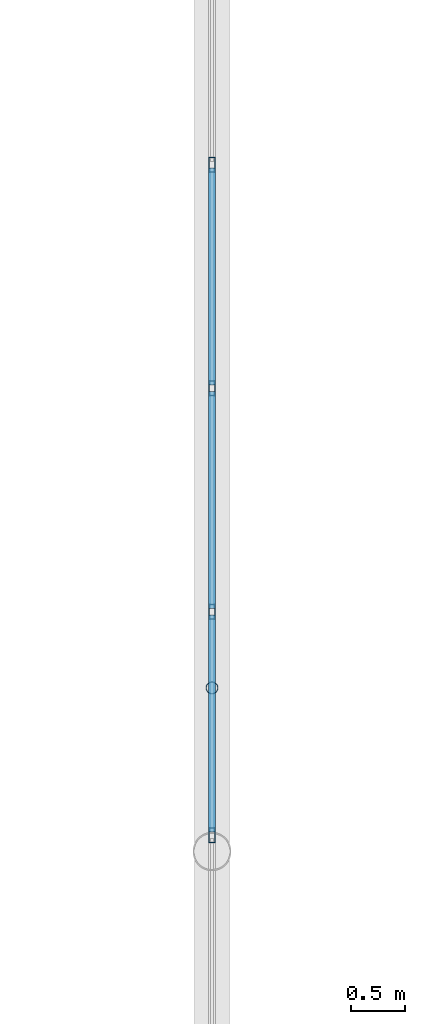
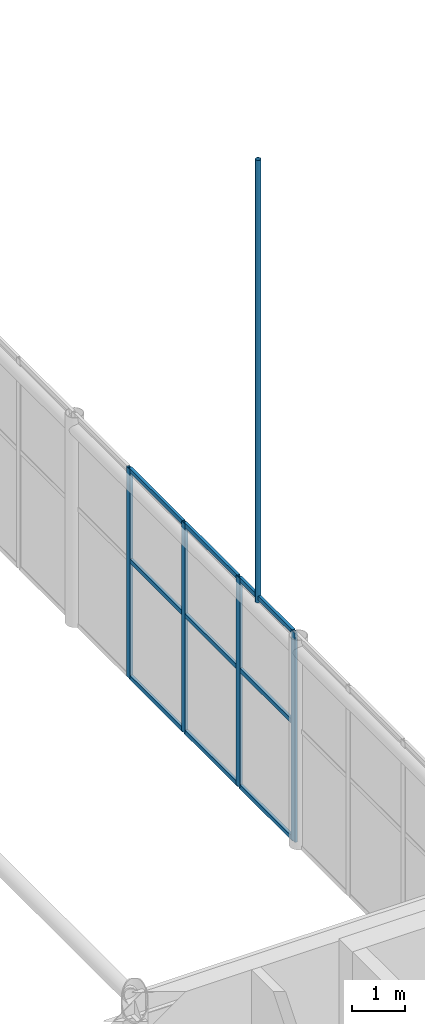
# One storey, part 110 of 167: 14 members, 1 element without a shape of its own.
"""IFC4 building model written with IfcOpenShell, lengths in metres."""

from ifc_helpers import new_model, si_unit, direction, frame, origin, origin_2d, place, context, subcontext, project, spatial, hollow_rectangle, hollow_circle, extrude, material, material_profile, profile_set, type_object, element, aggregate, save


model = new_model("IFC4")

# Units and contexts
model_context = context("Model", 3, precision=1e-05, world=origin(), true_north=direction((0.0, 1.0)))
body_context = subcontext(model_context, "Body", "Model", "MODEL_VIEW")
ifc_project = project(units=[si_unit("LENGTHUNIT", "METRE"), si_unit("AREAUNIT", "SQUARE_METRE"), si_unit("VOLUMEUNIT", "CUBIC_METRE"), si_unit("PLANEANGLEUNIT", "RADIAN"), si_unit("MASSUNIT", "GRAM", prefix="KILO")], contexts=[model_context])

# Site, building, storey
site_placement = place(None, origin())
site = spatial("IfcSite", under=ifc_project, at=site_placement, CompositionType="ELEMENT")
building_placement = place(site_placement, origin())
building = spatial("IfcBuilding", under=site, at=building_placement, Name="Catenary Quay Ferry Terminal", CompositionType="ELEMENT")
storey_placement = place(building_placement, frame((0.0, 0.0, 6.0)))
storey = spatial("IfcBuildingStorey", under=building, at=storey_placement, Name="L01", CompositionType="ELEMENT", Elevation=6.0)

# Member
ifc_material_1 = material(Name="Steel S355", Category="steel")
ifc_material_profile_1 = material_profile(ifc_material_1, hollow_circle(Radius=0.05712890625, WallThickness=0.00634765625, at=origin_2d()), Name="CHS 114.3x6.3")
ifc_profile_set_1 = profile_set([ifc_material_profile_1], Name="Steel S355")
member_type_1 = type_object("IfcMemberType", Name="HG1 CHS 114.3x6.3", PredefinedType="POST", material=ifc_profile_set_1)
member_1_placement = place(storey_placement, frame((92.39990234375, 119.110107421875, 4.654052734375), z_axis=(0.0, 0.0, 1.0), x_axis=(1.0, 0.0, 0.0)))
element("IfcMember", 1, at=member_1_placement, inside=storey, type_object=member_type_1, Name="Hanger VD-09-04", PredefinedType="POST", context=body_context, shape_type="SweptSolid", body=[
    extrude(hollow_circle(Radius=0.05712890625, WallThickness=0.00634765625, at=origin_2d()), origin(), (0.0, 0.0, 1.0), 10.137939453125),
])

# Curtain wall, members
ifc_material_2 = material(Name="Aluminium and glass", Category="aluminium")
curtain_wall_type = type_object("IfcCurtainWallType", Name="CWG", PredefinedType="NOTDEFINED", material=ifc_material_2)
curtain_wall_placement = place(storey_placement, origin())
curtain_wall = element("IfcCurtainWall", 2, at=curtain_wall_placement, inside=storey, type_object=curtain_wall_type, Name="Gable departure hall curtain wall CW20", PredefinedType="NOTDEFINED")
ifc_material_3 = material(Name="Aluminium", Category="aluminium")
ifc_material_profile_2 = material_profile(ifc_material_3, hollow_rectangle(XDim=0.06005859375, YDim=0.139892578125, WallThickness=0.006103515625, at=origin_2d()), Name="MU2")
ifc_profile_set_2 = profile_set([ifc_material_profile_2], Name="Aluminium")
member_type_2 = type_object("IfcMemberType", Name="MU2", PredefinedType="MULLION", material=ifc_profile_set_2)
member_2_placement = place(storey_placement, frame((92.39990234375, 117.75, 0.0), z_axis=(0.0, 0.0, 1.0), x_axis=(-1.0, 0.0, 0.0)))
member_2 = element("IfcMember", 3, at=member_2_placement, type_object=member_type_2, Name="CW20 mullion 5", PredefinedType="MULLION", context=body_context, shape_type="SweptSolid", body=[
    extrude(hollow_rectangle(XDim=0.06005859375, YDim=0.139892578125, WallThickness=0.006103515625, at=origin_2d()), origin(), (0.0, 0.0, 1.0), 4.800048828125),
])
member_3_placement = place(storey_placement, frame((92.39990234375, 119.8125, 0.0), z_axis=(0.0, 0.0, 1.0), x_axis=(-1.0, 0.0, 0.0)))
member_3 = element("IfcMember", 4, at=member_3_placement, type_object=member_type_2, Name="CW20 mullion 6", PredefinedType="MULLION", context=body_context, shape_type="SweptSolid", body=[
    extrude(hollow_rectangle(XDim=0.06005859375, YDim=0.139892578125, WallThickness=0.006103515625, at=origin_2d()), origin(), (0.0, 0.0, 1.0), 4.800048828125),
])
member_4_placement = place(storey_placement, frame((92.39990234375, 121.875, 0.0), z_axis=(0.0, 0.0, 1.0), x_axis=(-1.0, 0.0, 0.0)))
member_4 = element("IfcMember", 5, at=member_4_placement, type_object=member_type_2, Name="CW20 mullion 7", PredefinedType="MULLION", context=body_context, shape_type="SweptSolid", body=[
    extrude(hollow_rectangle(XDim=0.06005859375, YDim=0.139892578125, WallThickness=0.006103515625, at=origin_2d()), origin(), (0.0, 0.0, 1.0), 4.800048828125),
])
member_5_placement = place(storey_placement, frame((92.39990234375, 123.9375, 0.0), z_axis=(0.0, 0.0, 1.0), x_axis=(-1.0, 0.0, 0.0)))
member_5 = element("IfcMember", 6, at=member_5_placement, type_object=member_type_2, Name="CW20 mullion 8", PredefinedType="MULLION", context=body_context, shape_type="SweptSolid", body=[
    extrude(hollow_rectangle(XDim=0.06005859375, YDim=0.139892578125, WallThickness=0.006103515625, at=origin_2d()), origin(), (0.0, 0.0, 1.0), 4.800048828125),
])
ifc_material_4 = material(Name="Aluminium", Category="aluminium")
ifc_material_profile_3 = material_profile(ifc_material_4, hollow_rectangle(XDim=0.06005859375, YDim=0.10009765625, WallThickness=0.0048828125, at=origin_2d()), Name="TR2")
ifc_profile_set_3 = profile_set([ifc_material_profile_3], Name="Aluminium")
member_type_3 = type_object("IfcMemberType", Name="TR2", PredefinedType="USERDEFINED", material=ifc_profile_set_3)
member_6_placement = place(storey_placement, frame((92.39990234375, 117.780029296875, 0.030029296875), z_axis=(0.0, 1.0, 0.0), x_axis=(-1.0, 0.0, 0.0)))
member_6 = element("IfcMember", 7, at=member_6_placement, type_object=member_type_3, Name="CW20 transom 5.1", ObjectType="TRANSOM", PredefinedType="USERDEFINED", context=body_context, shape_type="SweptSolid", body=[
    extrude(hollow_rectangle(XDim=0.06005859375, YDim=0.10009765625, WallThickness=0.0048828125, at=origin_2d()), origin(), (0.0, 0.0, 1.0), 2.00244140625),
])
member_7_placement = place(storey_placement, frame((92.39990234375, 117.780029296875, 2.699951171875), z_axis=(0.0, 1.0, 0.0), x_axis=(-1.0, 0.0, 0.0)))
member_7 = element("IfcMember", 8, at=member_7_placement, type_object=member_type_3, Name="CW20 transom 5.2", ObjectType="TRANSOM", PredefinedType="USERDEFINED", context=body_context, shape_type="SweptSolid", body=[
    extrude(hollow_rectangle(XDim=0.06005859375, YDim=0.10009765625, WallThickness=0.0048828125, at=origin_2d()), origin(), (0.0, 0.0, 1.0), 2.00244140625),
])
member_8_placement = place(storey_placement, frame((92.39990234375, 117.780029296875, 4.77001953125), z_axis=(0.0, 1.0, 0.0), x_axis=(-1.0, 0.0, 0.0)))
member_8 = element("IfcMember", 9, at=member_8_placement, type_object=member_type_3, Name="CW20 transom 5.3", ObjectType="TRANSOM", PredefinedType="USERDEFINED", context=body_context, shape_type="SweptSolid", body=[
    extrude(hollow_rectangle(XDim=0.06005859375, YDim=0.10009765625, WallThickness=0.0048828125, at=origin_2d()), origin(), (0.0, 0.0, 1.0), 2.00244140625),
])
member_9_placement = place(storey_placement, frame((92.39990234375, 119.842529296875, 0.030029296875), z_axis=(0.0, 1.0, 0.0), x_axis=(-1.0, 0.0, 0.0)))
member_9 = element("IfcMember", 10, at=member_9_placement, type_object=member_type_3, Name="CW20 transom 6.1", ObjectType="TRANSOM", PredefinedType="USERDEFINED", context=body_context, shape_type="SweptSolid", body=[
    extrude(hollow_rectangle(XDim=0.06005859375, YDim=0.10009765625, WallThickness=0.0048828125, at=origin_2d()), origin(), (0.0, 0.0, 1.0), 2.00244140625),
])
member_10_placement = place(storey_placement, frame((92.39990234375, 119.842529296875, 2.699951171875), z_axis=(0.0, 1.0, 0.0), x_axis=(-1.0, 0.0, 0.0)))
member_10 = element("IfcMember", 11, at=member_10_placement, type_object=member_type_3, Name="CW20 transom 6.2", ObjectType="TRANSOM", PredefinedType="USERDEFINED", context=body_context, shape_type="SweptSolid", body=[
    extrude(hollow_rectangle(XDim=0.06005859375, YDim=0.10009765625, WallThickness=0.0048828125, at=origin_2d()), origin(), (0.0, 0.0, 1.0), 2.00244140625),
])
member_11_placement = place(storey_placement, frame((92.39990234375, 119.842529296875, 4.77001953125), z_axis=(0.0, 1.0, 0.0), x_axis=(-1.0, 0.0, 0.0)))
member_11 = element("IfcMember", 12, at=member_11_placement, type_object=member_type_3, Name="CW20 transom 6.3", ObjectType="TRANSOM", PredefinedType="USERDEFINED", context=body_context, shape_type="SweptSolid", body=[
    extrude(hollow_rectangle(XDim=0.06005859375, YDim=0.10009765625, WallThickness=0.0048828125, at=origin_2d()), origin(), (0.0, 0.0, 1.0), 2.00244140625),
])
member_12_placement = place(storey_placement, frame((92.39990234375, 121.905029296875, 0.030029296875), z_axis=(0.0, 1.0, 0.0), x_axis=(-1.0, 0.0, 0.0)))
member_12 = element("IfcMember", 13, at=member_12_placement, type_object=member_type_3, Name="CW20 transom 7.1", ObjectType="TRANSOM", PredefinedType="USERDEFINED", context=body_context, shape_type="SweptSolid", body=[
    extrude(hollow_rectangle(XDim=0.06005859375, YDim=0.10009765625, WallThickness=0.0048828125, at=origin_2d()), origin(), (0.0, 0.0, 1.0), 2.00244140625),
])
member_13_placement = place(storey_placement, frame((92.39990234375, 121.905029296875, 2.699951171875), z_axis=(0.0, 1.0, 0.0), x_axis=(-1.0, 0.0, 0.0)))
member_13 = element("IfcMember", 14, at=member_13_placement, type_object=member_type_3, Name="CW20 transom 7.2", ObjectType="TRANSOM", PredefinedType="USERDEFINED", context=body_context, shape_type="SweptSolid", body=[
    extrude(hollow_rectangle(XDim=0.06005859375, YDim=0.10009765625, WallThickness=0.0048828125, at=origin_2d()), origin(), (0.0, 0.0, 1.0), 2.00244140625),
])
member_14_placement = place(storey_placement, frame((92.39990234375, 121.905029296875, 4.77001953125), z_axis=(0.0, 1.0, 0.0), x_axis=(-1.0, 0.0, 0.0)))
member_14 = element("IfcMember", 15, at=member_14_placement, type_object=member_type_3, Name="CW20 transom 7.3", ObjectType="TRANSOM", PredefinedType="USERDEFINED", context=body_context, shape_type="SweptSolid", body=[
    extrude(hollow_rectangle(XDim=0.06005859375, YDim=0.10009765625, WallThickness=0.0048828125, at=origin_2d()), origin(), (0.0, 0.0, 1.0), 2.00244140625),
])
aggregate(curtain_wall, [member_2, member_3, member_4, member_5, member_6, member_7, member_8, member_9, member_10, member_11, member_12, member_13, member_14])

save(model, "model.ifc")
